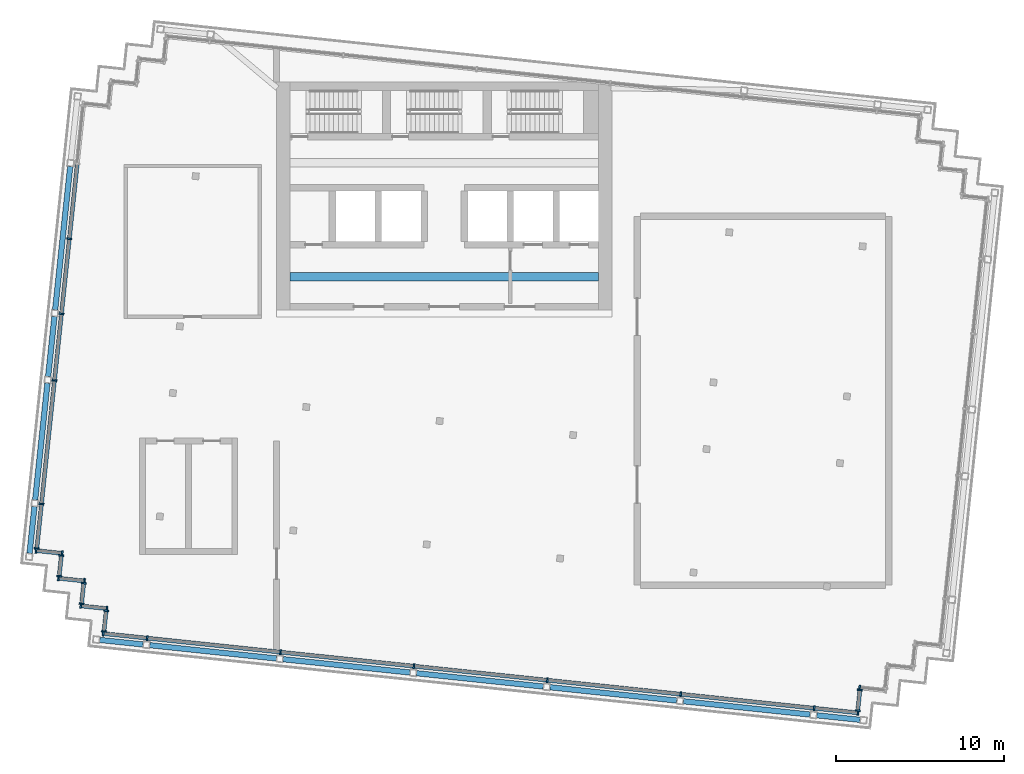
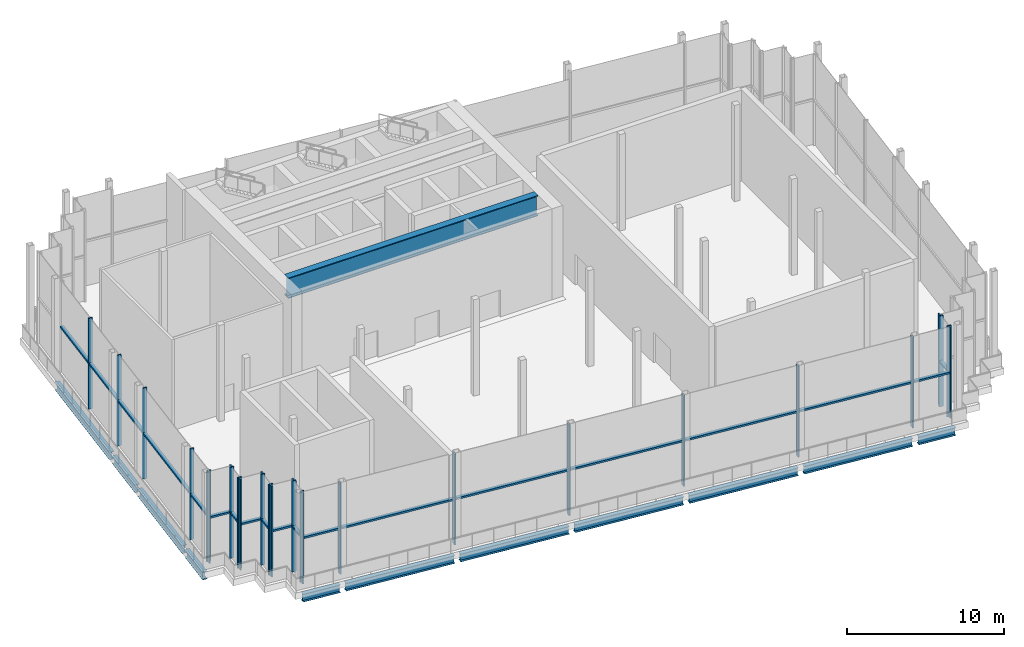
# One storey, part 3 of 14: 47 members, 12 beams, 10 elements without a shape of their own.
"""IFC4 building model written with IfcOpenShell, lengths in metres."""

from ifc_helpers import new_model, si_unit, direction, frame, origin, origin_2d, place, context, subcontext, project, spatial, rectangle, i_section, extrude, material, material_profile, profile_set, type_object, element, aggregate, save


model = new_model("IFC4")

# Units and contexts
model_context = context("Model", 3, precision=1e-05, world=origin(), true_north=direction((0.0, 1.0)))
body_context = subcontext(model_context, "Body", "Model", "MODEL_VIEW")
ifc_project = project(units=[si_unit("LENGTHUNIT", "METRE"), si_unit("AREAUNIT", "SQUARE_METRE"), si_unit("VOLUMEUNIT", "CUBIC_METRE"), si_unit("PLANEANGLEUNIT", "RADIAN"), si_unit("MASSUNIT", "GRAM", prefix="KILO")], contexts=[model_context])

# Site, building, storey
site_placement = place(None, origin())
site = spatial("IfcSite", under=ifc_project, at=site_placement, CompositionType="ELEMENT")
building_placement = place(site_placement, origin())
building = spatial("IfcBuilding", under=site, at=building_placement, Name="Vidyagriha Tower", CompositionType="ELEMENT")
storey_placement = place(building_placement, frame((0.0, 0.0, 301.699951171875)))
storey = spatial("IfcBuildingStorey", under=building, at=storey_placement, Name="L78", CompositionType="ELEMENT", Elevation=301.699951171875)

# Beams
ifc_material_1 = material(Name="Steel ASTM A992 Grade 50", Category="steel")
ifc_material_profile_1 = material_profile(ifc_material_1, i_section(OverallWidth=0.5, OverallDepth=1.60009765625, WebThickness=0.030029296875, FlangeThickness=0.06005859375, at=origin_2d()), Name="H1600x500x30x60")
ifc_profile_set_1 = profile_set([ifc_material_profile_1], Name="Steel ASTM A992 Grade 50")
beam_type_1 = type_object("IfcBeamType", Name="Damper support girder H1600x500x30x60", PredefinedType="BEAM", material=ifc_profile_set_1)
beam_1_placement = place(storey_placement, frame((-9.199951171875, 8.39990234375, 6.280029296875), z_axis=(1.0, 0.0, 0.0), x_axis=(0.0, 1.0, 0.0)))
element("IfcBeam", 1, at=beam_1_placement, inside=storey, type_object=beam_type_1, Name="st-beam-L78-DG1", PredefinedType="BEAM", context=body_context, shape_type="SweptSolid", body=[
    extrude(i_section(OverallWidth=0.5, OverallDepth=1.60009765625, WebThickness=0.030029296875, FlangeThickness=0.06005859375, at=origin_2d()), origin(), (0.0, 0.0, 1.0), 18.39990234375),
])
ifc_material_2 = material(Name="Steel ASTM A992 Grade 50", Category="steel")
ifc_material_profile_2 = material_profile(ifc_material_2, i_section(OverallWidth=0.32373046875, OverallDepth=0.612060546875, WebThickness=0.0126953125, FlangeThickness=0.01904296875, at=origin_2d()), Name="W24X104")
ifc_profile_set_2 = profile_set([ifc_material_profile_2], Name="Steel ASTM A992 Grade 50")
beam_type_2 = type_object("IfcBeamType", Name="Edge beam W24X104", PredefinedType="SPANDREL", material=ifc_profile_set_2)
beam_2_placement = place(storey_placement, frame((-20.552978515625, -13.263427734375, -0.805908203125), z_axis=(0.99451368233, -0.104606575594, 0.0), x_axis=(0.104606575594, 0.99451368233, 0.0)))
element("IfcBeam", 2, at=beam_2_placement, inside=storey, type_object=beam_type_2, Name="st-beam-L78-S01", PredefinedType="SPANDREL", context=body_context, shape_type="SweptSolid", body=[
    extrude(i_section(OverallWidth=0.32373046875, OverallDepth=0.612060546875, WebThickness=0.0126953125, FlangeThickness=0.01904296875, at=origin_2d()), origin(), (0.0, 0.0, 1.0), 2.599853515625),
])
for number, where, z_axis, x_axis, name in (
    (3, (-17.569580078125, -13.5771484375, -0.805908203125), (0.994521634953, -0.104530940926, 0.0), (0.104530940926, 0.994521634953, 0.0), "st-beam-L78-S02"),
    (4, (-9.61328125, -14.413330078125, -0.805908203125), (0.994521634953, -0.104530940926, 0.0), (0.104530940926, 0.994521634953, 0.0), "st-beam-L78-S03"),
    (5, (-1.6572265625, -15.24951171875, -0.805908203125), (0.994521634953, -0.104530940926, 0.0), (0.104530940926, 0.994521634953, 0.0), "st-beam-L78-S04"),
    (6, (6.299072265625, -16.085693359375, -0.805908203125), (0.994521634953, -0.104530940926, 0.0), (0.104530940926, 0.994521634953, 0.0), "st-beam-L78-S05"),
):
    element("IfcBeam", number, at=place(storey_placement, frame(where, z_axis=z_axis, x_axis=x_axis)), inside=storey, type_object=beam_type_2, Name=name, PredefinedType="SPANDREL", context=body_context, shape_type="SweptSolid", body=[
        extrude(i_section(OverallWidth=0.32373046875, OverallDepth=0.612060546875, WebThickness=0.0126953125, FlangeThickness=0.01904296875, at=origin_2d()), origin(), (0.0, 0.0, 1.0), 7.60009765625),
    ])
beam_3_placement = place(storey_placement, frame((14.255126953125, -16.922119140625, -0.805908203125), z_axis=(0.994524973995, -0.104499167945, 0.0), x_axis=(0.104499167945, 0.994524973995, 0.0)))
element("IfcBeam", 7, at=beam_3_placement, inside=storey, type_object=beam_type_2, Name="st-beam-L78-S06", PredefinedType="SPANDREL", context=body_context, shape_type="SweptSolid", body=[
    extrude(i_section(OverallWidth=0.32373046875, OverallDepth=0.612060546875, WebThickness=0.0126953125, FlangeThickness=0.01904296875, at=origin_2d()), origin(), (0.0, 0.0, 1.0), 7.599853515625),
])
beam_4_placement = place(storey_placement, frame((22.211181640625, -17.75830078125, -0.805908203125), z_axis=(0.994524472508, -0.104503940512, 0.0), x_axis=(0.104503940512, 0.994524472508, 0.0)))
element("IfcBeam", 8, at=beam_4_placement, inside=storey, type_object=beam_type_2, Name="st-beam-L78-S07", PredefinedType="SPANDREL", context=body_context, shape_type="SweptSolid", body=[
    extrude(i_section(OverallWidth=0.32373046875, OverallDepth=0.612060546875, WebThickness=0.0126953125, FlangeThickness=0.01904296875, at=origin_2d()), origin(), (0.0, 0.0, 1.0), 2.60009765625),
])
beam_5_placement = place(storey_placement, frame((-24.736083984375, -8.097900390625, -0.805908203125), z_axis=(0.104544080685, 0.994520253788, 0.0), x_axis=(-0.994520253788, 0.104544080685, 0.0)))
element("IfcBeam", 9, at=beam_5_placement, inside=storey, type_object=beam_type_2, Name="st-beam-L78-W08", PredefinedType="SPANDREL", context=body_context, shape_type="SweptSolid", body=[
    extrude(i_section(OverallWidth=0.32373046875, OverallDepth=0.612060546875, WebThickness=0.0126953125, FlangeThickness=0.01904296875, at=origin_2d()), origin(), (0.0, 0.0, 1.0), 2.800048828125),
])
beam_6_placement = place(storey_placement, frame((-24.401611328125, -4.91552734375, -0.805908203125), z_axis=(0.104526832686, 0.994522066748, 0.0), x_axis=(-0.994522066748, 0.104526832686, 0.0)))
element("IfcBeam", 10, at=beam_6_placement, inside=storey, type_object=beam_type_2, Name="st-beam-L78-W09", PredefinedType="SPANDREL", context=body_context, shape_type="SweptSolid", body=[
    extrude(i_section(OverallWidth=0.32373046875, OverallDepth=0.612060546875, WebThickness=0.0126953125, FlangeThickness=0.01904296875, at=origin_2d()), origin(), (0.0, 0.0, 1.0), 7.0),
])
beam_7_placement = place(storey_placement, frame((-23.628173828125, 2.444091796875, -0.805908203125), z_axis=(0.104578872801, 0.994516595821, 0.0), x_axis=(-0.994516595821, 0.104578872801, 0.0)))
element("IfcBeam", 11, at=beam_7_placement, inside=storey, type_object=beam_type_2, Name="st-beam-L78-W10", PredefinedType="SPANDREL", context=body_context, shape_type="SweptSolid", body=[
    extrude(i_section(OverallWidth=0.32373046875, OverallDepth=0.612060546875, WebThickness=0.0126953125, FlangeThickness=0.01904296875, at=origin_2d()), origin(), (0.0, 0.0, 1.0), 3.599853515625),
])
beam_8_placement = place(storey_placement, frame((-23.2099609375, 6.422119140625, -0.805908203125), z_axis=(0.104528138401, 0.994521929513, 0.0), x_axis=(-0.994521929513, 0.104528138401, 0.0)))
element("IfcBeam", 12, at=beam_8_placement, inside=storey, type_object=beam_type_2, Name="st-beam-L78-W11", PredefinedType="SPANDREL", context=body_context, shape_type="SweptSolid", body=[
    extrude(i_section(OverallWidth=0.32373046875, OverallDepth=0.612060546875, WebThickness=0.0126953125, FlangeThickness=0.01904296875, at=origin_2d()), origin(), (0.0, 0.0, 1.0), 8.599853515625),
])

# Curtain wall, members
ifc_material_3 = material(Name="Aluminium and glass curtain wall", Category="aluminium")
curtain_wall_type = type_object("IfcCurtainWallType", Name="Damper floor glazing wall", PredefinedType="USERDEFINED", material=ifc_material_3)
curtain_wall_1_placement = place(storey_placement, origin())
curtain_wall_1 = element("IfcCurtainWall", 13, at=curtain_wall_1_placement, inside=storey, type_object=curtain_wall_type, Name="CW5 damper floor glazing", ObjectType="STICK GLAZING", PredefinedType="USERDEFINED")
ifc_material_4 = material(Name="Aluminium black anodised", Category="aluminium")
ifc_material_profile_3 = material_profile(ifc_material_4, rectangle(XDim=0.300048828125, YDim=0.10009765625, at=origin_2d()), Name="Mullion 100x300 black aluminium")
ifc_profile_set_3 = profile_set([ifc_material_profile_3], Name="Aluminium black anodised")
member_type_1 = type_object("IfcMemberType", Name="Mullion 100x300 black aluminium", PredefinedType="MULLION", material=ifc_profile_set_3)
member_1_placement = place(storey_placement, frame((-22.36279296875, 10.656494140625, 0.0), z_axis=(0.0, 0.0, 1.0), x_axis=(0.994522018715, -0.104527289697, 0.0)))
member_1 = element("IfcMember", 14, at=member_1_placement, type_object=member_type_1, Name="CW5 mullion 3", PredefinedType="MULLION", context=body_context, shape_type="SweptSolid", body=[
    extrude(rectangle(XDim=0.300048828125, YDim=0.10009765625, at=origin_2d()), origin(), (0.0, 0.0, 1.0), 7.080078125),
])
member_2_placement = place(storey_placement, frame((-22.8330078125, 6.181396484375, 0.0), z_axis=(0.0, 0.0, 1.0), x_axis=(0.994522018715, -0.104527289697, 0.0)))
member_2 = element("IfcMember", 15, at=member_2_placement, type_object=member_type_1, Name="CW5 mullion 4", PredefinedType="MULLION", context=body_context, shape_type="SweptSolid", body=[
    extrude(rectangle(XDim=0.300048828125, YDim=0.10009765625, at=origin_2d()), origin(), (0.0, 0.0, 1.0), 7.080078125),
])
member_3_placement = place(storey_placement, frame((-23.251220703125, 2.203125, 0.0), z_axis=(0.0, 0.0, 1.0), x_axis=(0.994522018715, -0.104527289697, 0.0)))
member_3 = element("IfcMember", 16, at=member_3_placement, type_object=member_type_1, Name="CW5 mullion 5", PredefinedType="MULLION", context=body_context, shape_type="SweptSolid", body=[
    extrude(rectangle(XDim=0.300048828125, YDim=0.10009765625, at=origin_2d()), origin(), (0.0, 0.0, 1.0), 7.080078125),
])
member_4_placement = place(storey_placement, frame((-24.024658203125, -5.15625, 0.0), z_axis=(0.0, 0.0, 1.0), x_axis=(0.994522018715, -0.104527289697, 0.0)))
member_4 = element("IfcMember", 17, at=member_4_placement, type_object=member_type_1, Name="CW5 mullion 6", PredefinedType="MULLION", context=body_context, shape_type="SweptSolid", body=[
    extrude(rectangle(XDim=0.300048828125, YDim=0.10009765625, at=origin_2d()), origin(), (0.0, 0.0, 1.0), 7.080078125),
])
member_5_placement = place(storey_placement, frame((-24.3037109375, -7.8115234375, 0.0), z_axis=(0.0, 0.0, 1.0), x_axis=(0.994522018715, -0.104527289697, 0.0)))
member_5 = element("IfcMember", 18, at=member_5_placement, type_object=member_type_1, Name="CW5 mullion 7", PredefinedType="MULLION", context=body_context, shape_type="SweptSolid", body=[
    extrude(rectangle(XDim=0.300048828125, YDim=0.10009765625, at=origin_2d()), origin(), (0.0, 0.0, 1.0), 7.080078125),
])

curtain_wall_2_placement = place(storey_placement, origin())
curtain_wall_2 = element("IfcCurtainWall", 19, at=curtain_wall_2_placement, inside=storey, type_object=curtain_wall_type, Name="CW5 damper floor glazing", ObjectType="STICK GLAZING", PredefinedType="USERDEFINED")
member_6_placement = place(storey_placement, frame((-24.34716796875, -7.937744140625, 0.0), z_axis=(0.0, 0.0, 1.0), x_axis=(0.104518583201, 0.994522933756, 0.0)))
member_6 = element("IfcMember", 20, at=member_6_placement, type_object=member_type_1, Name="CW5 mullion 1", PredefinedType="MULLION", context=body_context, shape_type="SweptSolid", body=[
    extrude(rectangle(XDim=0.300048828125, YDim=0.10009765625, at=origin_2d()), origin(), (0.0, 0.0, 1.0), 7.080078125),
])
member_7_placement = place(storey_placement, frame((-22.795654296875, -8.100830078125, 0.0), z_axis=(0.0, 0.0, 1.0), x_axis=(0.104518583201, 0.994522933756, 0.0)))
member_7 = element("IfcMember", 21, at=member_7_placement, type_object=member_type_1, Name="CW5 mullion 2", PredefinedType="MULLION", context=body_context, shape_type="SweptSolid", body=[
    extrude(rectangle(XDim=0.300048828125, YDim=0.10009765625, at=origin_2d()), origin(), (0.0, 0.0, 1.0), 7.080078125),
])

curtain_wall_3_placement = place(storey_placement, origin())
curtain_wall_3 = element("IfcCurtainWall", 22, at=curtain_wall_3_placement, inside=storey, type_object=curtain_wall_type, Name="CW5 damper floor glazing", ObjectType="STICK GLAZING", PredefinedType="USERDEFINED")
member_8_placement = place(storey_placement, frame((-22.839111328125, -8.22705078125, 0.0), z_axis=(0.0, 0.0, 1.0), x_axis=(0.994518939392, -0.104556583677, 0.0)))
member_8 = element("IfcMember", 23, at=member_8_placement, type_object=member_type_1, Name="CW5 mullion 1", PredefinedType="MULLION", context=body_context, shape_type="SweptSolid", body=[
    extrude(rectangle(XDim=0.300048828125, YDim=0.10009765625, at=origin_2d()), origin(), (0.0, 0.0, 1.0), 7.080078125),
])
member_9_placement = place(storey_placement, frame((-22.96875, -9.460205078125, 0.0), z_axis=(0.0, 0.0, 1.0), x_axis=(0.994518939392, -0.104556583677, 0.0)))
member_9 = element("IfcMember", 24, at=member_9_placement, type_object=member_type_1, Name="CW5 mullion 2", PredefinedType="MULLION", context=body_context, shape_type="SweptSolid", body=[
    extrude(rectangle(XDim=0.300048828125, YDim=0.10009765625, at=origin_2d()), origin(), (0.0, 0.0, 1.0), 7.080078125),
])

curtain_wall_4_placement = place(storey_placement, origin())
curtain_wall_4 = element("IfcCurtainWall", 25, at=curtain_wall_4_placement, inside=storey, type_object=curtain_wall_type, Name="CW5 damper floor glazing", ObjectType="STICK GLAZING", PredefinedType="USERDEFINED")
member_10_placement = place(storey_placement, frame((-23.01220703125, -9.58642578125, 0.0), z_axis=(0.0, 0.0, 1.0), x_axis=(0.104458999463, 0.994529193856, 0.0)))
member_10 = element("IfcMember", 26, at=member_10_placement, type_object=member_type_1, Name="CW5 mullion 1", PredefinedType="MULLION", context=body_context, shape_type="SweptSolid", body=[
    extrude(rectangle(XDim=0.300048828125, YDim=0.10009765625, at=origin_2d()), origin(), (0.0, 0.0, 1.0), 7.080078125),
])
member_11_placement = place(storey_placement, frame((-21.460693359375, -9.749267578125, 0.0), z_axis=(0.0, 0.0, 1.0), x_axis=(0.104458999463, 0.994529193856, 0.0)))
member_11 = element("IfcMember", 27, at=member_11_placement, type_object=member_type_1, Name="CW5 mullion 2", PredefinedType="MULLION", context=body_context, shape_type="SweptSolid", body=[
    extrude(rectangle(XDim=0.300048828125, YDim=0.10009765625, at=origin_2d()), origin(), (0.0, 0.0, 1.0), 7.080078125),
])

curtain_wall_5_placement = place(storey_placement, origin())
curtain_wall_5 = element("IfcCurtainWall", 28, at=curtain_wall_5_placement, inside=storey, type_object=curtain_wall_type, Name="CW5 damper floor glazing", ObjectType="STICK GLAZING", PredefinedType="USERDEFINED")
member_12_placement = place(storey_placement, frame((-21.504150390625, -9.87548828125, 0.0), z_axis=(0.0, 0.0, 1.0), x_axis=(0.994519755162, -0.104548823962, 0.0)))
member_12 = element("IfcMember", 29, at=member_12_placement, type_object=member_type_1, Name="CW5 mullion 1", PredefinedType="MULLION", context=body_context, shape_type="SweptSolid", body=[
    extrude(rectangle(XDim=0.300048828125, YDim=0.10009765625, at=origin_2d()), origin(), (0.0, 0.0, 1.0), 7.080078125),
])
member_13_placement = place(storey_placement, frame((-21.6337890625, -11.108642578125, 0.0), z_axis=(0.0, 0.0, 1.0), x_axis=(0.994519755162, -0.104548823962, 0.0)))
member_13 = element("IfcMember", 30, at=member_13_placement, type_object=member_type_1, Name="CW5 mullion 2", PredefinedType="MULLION", context=body_context, shape_type="SweptSolid", body=[
    extrude(rectangle(XDim=0.300048828125, YDim=0.10009765625, at=origin_2d()), origin(), (0.0, 0.0, 1.0), 7.080078125),
])

curtain_wall_6_placement = place(storey_placement, origin())
curtain_wall_6 = element("IfcCurtainWall", 31, at=curtain_wall_6_placement, inside=storey, type_object=curtain_wall_type, Name="CW5 damper floor glazing", ObjectType="STICK GLAZING", PredefinedType="USERDEFINED")
member_14_placement = place(storey_placement, frame((-21.67724609375, -11.23486328125, 0.0), z_axis=(0.0, 0.0, 1.0), x_axis=(0.104518583201, 0.994522933756, 0.0)))
member_14 = element("IfcMember", 32, at=member_14_placement, type_object=member_type_1, Name="CW5 mullion 1", PredefinedType="MULLION", context=body_context, shape_type="SweptSolid", body=[
    extrude(rectangle(XDim=0.300048828125, YDim=0.10009765625, at=origin_2d()), origin(), (0.0, 0.0, 1.0), 7.080078125),
])
member_15_placement = place(storey_placement, frame((-20.125732421875, -11.39794921875, 0.0), z_axis=(0.0, 0.0, 1.0), x_axis=(0.104518583201, 0.994522933756, 0.0)))
member_15 = element("IfcMember", 33, at=member_15_placement, type_object=member_type_1, Name="CW5 mullion 2", PredefinedType="MULLION", context=body_context, shape_type="SweptSolid", body=[
    extrude(rectangle(XDim=0.300048828125, YDim=0.10009765625, at=origin_2d()), origin(), (0.0, 0.0, 1.0), 7.080078125),
])

curtain_wall_7_placement = place(storey_placement, origin())
curtain_wall_7 = element("IfcCurtainWall", 34, at=curtain_wall_7_placement, inside=storey, type_object=curtain_wall_type, Name="CW5 damper floor glazing", ObjectType="STICK GLAZING", PredefinedType="USERDEFINED")
member_16_placement = place(storey_placement, frame((-20.169189453125, -11.524169921875, 0.0), z_axis=(0.0, 0.0, 1.0), x_axis=(0.994518939392, -0.104556583677, 0.0)))
member_16 = element("IfcMember", 35, at=member_16_placement, type_object=member_type_1, Name="CW5 mullion 1", PredefinedType="MULLION", context=body_context, shape_type="SweptSolid", body=[
    extrude(rectangle(XDim=0.300048828125, YDim=0.10009765625, at=origin_2d()), origin(), (0.0, 0.0, 1.0), 7.080078125),
])
member_17_placement = place(storey_placement, frame((-20.298828125, -12.75732421875, 0.0), z_axis=(0.0, 0.0, 1.0), x_axis=(0.994518939392, -0.104556583677, 0.0)))
member_17 = element("IfcMember", 36, at=member_17_placement, type_object=member_type_1, Name="CW5 mullion 2", PredefinedType="MULLION", context=body_context, shape_type="SweptSolid", body=[
    extrude(rectangle(XDim=0.300048828125, YDim=0.10009765625, at=origin_2d()), origin(), (0.0, 0.0, 1.0), 7.080078125),
])

curtain_wall_8_placement = place(storey_placement, origin())
curtain_wall_8 = element("IfcCurtainWall", 37, at=curtain_wall_8_placement, inside=storey, type_object=curtain_wall_type, Name="CW5 damper floor glazing", ObjectType="STICK GLAZING", PredefinedType="USERDEFINED")
member_18_placement = place(storey_placement, frame((-20.34228515625, -12.883544921875, 0.0), z_axis=(0.0, 0.0, 1.0), x_axis=(0.104528251556, 0.99452191762, 0.0)))
member_18 = element("IfcMember", 38, at=member_18_placement, type_object=member_type_1, Name="CW5 mullion 1", PredefinedType="MULLION", context=body_context, shape_type="SweptSolid", body=[
    extrude(rectangle(XDim=0.300048828125, YDim=0.10009765625, at=origin_2d()), origin(), (0.0, 0.0, 1.0), 7.080078125),
])
member_19_placement = place(storey_placement, frame((-17.7265625, -13.158447265625, 0.0), z_axis=(0.0, 0.0, 1.0), x_axis=(0.104528251556, 0.99452191762, 0.0)))
member_19 = element("IfcMember", 39, at=member_19_placement, type_object=member_type_1, Name="CW5 mullion 2", PredefinedType="MULLION", context=body_context, shape_type="SweptSolid", body=[
    extrude(rectangle(XDim=0.300048828125, YDim=0.10009765625, at=origin_2d()), origin(), (0.0, 0.0, 1.0), 7.080078125),
])
member_20_placement = place(storey_placement, frame((-9.7705078125, -13.99462890625, 0.0), z_axis=(0.0, 0.0, 1.0), x_axis=(0.104528251556, 0.99452191762, 0.0)))
member_20 = element("IfcMember", 40, at=member_20_placement, type_object=member_type_1, Name="CW5 mullion 3", PredefinedType="MULLION", context=body_context, shape_type="SweptSolid", body=[
    extrude(rectangle(XDim=0.300048828125, YDim=0.10009765625, at=origin_2d()), origin(), (0.0, 0.0, 1.0), 7.080078125),
])
member_21_placement = place(storey_placement, frame((-1.814208984375, -14.830810546875, 0.0), z_axis=(0.0, 0.0, 1.0), x_axis=(0.104528251556, 0.99452191762, 0.0)))
member_21 = element("IfcMember", 41, at=member_21_placement, type_object=member_type_1, Name="CW5 mullion 4", PredefinedType="MULLION", context=body_context, shape_type="SweptSolid", body=[
    extrude(rectangle(XDim=0.300048828125, YDim=0.10009765625, at=origin_2d()), origin(), (0.0, 0.0, 1.0), 7.080078125),
])
member_22_placement = place(storey_placement, frame((6.141845703125, -15.6669921875, 0.0), z_axis=(0.0, 0.0, 1.0), x_axis=(0.104528251556, 0.99452191762, 0.0)))
member_22 = element("IfcMember", 42, at=member_22_placement, type_object=member_type_1, Name="CW5 mullion 5", PredefinedType="MULLION", context=body_context, shape_type="SweptSolid", body=[
    extrude(rectangle(XDim=0.300048828125, YDim=0.10009765625, at=origin_2d()), origin(), (0.0, 0.0, 1.0), 7.080078125),
])
member_23_placement = place(storey_placement, frame((14.09814453125, -16.503173828125, 0.0), z_axis=(0.0, 0.0, 1.0), x_axis=(0.104528251556, 0.99452191762, 0.0)))
member_23 = element("IfcMember", 43, at=member_23_placement, type_object=member_type_1, Name="CW5 mullion 6", PredefinedType="MULLION", context=body_context, shape_type="SweptSolid", body=[
    extrude(rectangle(XDim=0.300048828125, YDim=0.10009765625, at=origin_2d()), origin(), (0.0, 0.0, 1.0), 7.080078125),
])
member_24_placement = place(storey_placement, frame((22.05419921875, -17.33935546875, 0.0), z_axis=(0.0, 0.0, 1.0), x_axis=(0.104528251556, 0.99452191762, 0.0)))
member_24 = element("IfcMember", 44, at=member_24_placement, type_object=member_type_1, Name="CW5 mullion 7", PredefinedType="MULLION", context=body_context, shape_type="SweptSolid", body=[
    extrude(rectangle(XDim=0.300048828125, YDim=0.10009765625, at=origin_2d()), origin(), (0.0, 0.0, 1.0), 7.080078125),
])
member_25_placement = place(storey_placement, frame((24.669921875, -17.6142578125, 0.0), z_axis=(0.0, 0.0, 1.0), x_axis=(0.104528251556, 0.99452191762, 0.0)))
member_25 = element("IfcMember", 45, at=member_25_placement, type_object=member_type_1, Name="CW5 mullion 8", PredefinedType="MULLION", context=body_context, shape_type="SweptSolid", body=[
    extrude(rectangle(XDim=0.300048828125, YDim=0.10009765625, at=origin_2d()), origin(), (0.0, 0.0, 1.0), 7.080078125),
])

curtain_wall_9_placement = place(storey_placement, origin())
curtain_wall_9 = element("IfcCurtainWall", 46, at=curtain_wall_9_placement, inside=storey, type_object=curtain_wall_type, Name="CW5 damper floor glazing", ObjectType="STICK GLAZING", PredefinedType="USERDEFINED")
member_26_placement = place(storey_placement, frame((24.653564453125, -17.48193359375, 0.0), z_axis=(0.0, 0.0, 1.0), x_axis=(-0.994518939392, 0.104556583677, 0.0)))
member_26 = element("IfcMember", 47, at=member_26_placement, type_object=member_type_1, Name="CW5 mullion 1", PredefinedType="MULLION", context=body_context, shape_type="SweptSolid", body=[
    extrude(rectangle(XDim=0.300048828125, YDim=0.10009765625, at=origin_2d()), origin(), (0.0, 0.0, 1.0), 7.080078125),
])
member_27_placement = place(storey_placement, frame((24.783203125, -16.248779296875, 0.0), z_axis=(0.0, 0.0, 1.0), x_axis=(-0.994518939392, 0.104556583677, 0.0)))
member_27 = element("IfcMember", 48, at=member_27_placement, type_object=member_type_1, Name="CW5 mullion 2", PredefinedType="MULLION", context=body_context, shape_type="SweptSolid", body=[
    extrude(rectangle(XDim=0.300048828125, YDim=0.10009765625, at=origin_2d()), origin(), (0.0, 0.0, 1.0), 7.080078125),
])

# Curtain wall, member
curtain_wall_10_placement = place(storey_placement, origin())
curtain_wall_10 = element("IfcCurtainWall", 49, at=curtain_wall_10_placement, inside=storey, type_object=curtain_wall_type, Name="CW5 damper floor glazing", ObjectType="STICK GLAZING", PredefinedType="USERDEFINED")
member_28_placement = place(storey_placement, frame((24.76708984375, -16.116455078125, 0.0), z_axis=(0.0, 0.0, 1.0), x_axis=(0.104518583201, 0.994522933756, 0.0)))
member_28 = element("IfcMember", 50, at=member_28_placement, type_object=member_type_1, Name="CW5 mullion 1", PredefinedType="MULLION", context=body_context, shape_type="SweptSolid", body=[
    extrude(rectangle(XDim=0.300048828125, YDim=0.10009765625, at=origin_2d()), origin(), (0.0, 0.0, 1.0), 7.080078125),
])
aggregate(curtain_wall_10, [member_28])

# Member
ifc_material_5 = material(Name="Aluminium black anodised", Category="aluminium")
ifc_material_profile_4 = material_profile(ifc_material_5, rectangle(XDim=0.239990234375, YDim=0.139892578125, at=origin_2d()), Name="Transom 140x240 black aluminium")
ifc_profile_set_4 = profile_set([ifc_material_profile_4], Name="Aluminium black anodised")
member_type_2 = type_object("IfcMemberType", Name="Transom 140x240 black aluminium", PredefinedType="USERDEFINED", material=ifc_profile_set_4)
member_29_placement = place(storey_placement, frame((-21.8974609375, 15.082275390625, 3.5400390625), z_axis=(-0.104534592565, -0.994521251134, 0.0), x_axis=(0.994521251134, -0.104534592565, 0.0)))
member_29 = element("IfcMember", 51, at=member_29_placement, type_object=member_type_2, Name="CW5 transom 2.1", ObjectType="TRANSOM", PredefinedType="USERDEFINED", context=body_context, shape_type="SweptSolid", body=[
    extrude(rectangle(XDim=0.239990234375, YDim=0.139892578125, at=origin_2d()), origin(), (0.0, 0.0, 1.0), 4.400146484375),
])

member_30_placement = place(storey_placement, frame((-22.367919921875, 10.60693359375, 3.5400390625), z_axis=(-0.104534592565, -0.994521251134, 0.0), x_axis=(0.994521251134, -0.104534592565, 0.0)))
member_30 = element("IfcMember", 52, at=member_30_placement, type_object=member_type_2, Name="CW5 transom 3.1", ObjectType="TRANSOM", PredefinedType="USERDEFINED", context=body_context, shape_type="SweptSolid", body=[
    extrude(rectangle(XDim=0.239990234375, YDim=0.139892578125, at=origin_2d()), origin(), (0.0, 0.0, 1.0), 4.400146484375),
])

member_31_placement = place(storey_placement, frame((-22.83837890625, 6.131591796875, 3.5400390625), z_axis=(-0.104479488415, -0.994527041613, 0.0), x_axis=(0.994527041613, -0.104479488415, 0.0)))
member_31 = element("IfcMember", 53, at=member_31_placement, type_object=member_type_2, Name="CW5 transom 4.1", ObjectType="TRANSOM", PredefinedType="USERDEFINED", context=body_context, shape_type="SweptSolid", body=[
    extrude(rectangle(XDim=0.239990234375, YDim=0.139892578125, at=origin_2d()), origin(), (0.0, 0.0, 1.0), 3.89990234375),
])

member_32_placement = place(storey_placement, frame((-23.25634765625, 2.153564453125, 3.5400390625), z_axis=(-0.104542033295, -0.994520469007, 0.0), x_axis=(0.994520469007, -0.104542033295, 0.0)))
member_32 = element("IfcMember", 54, at=member_32_placement, type_object=member_type_2, Name="CW5 transom 5.1", ObjectType="TRANSOM", PredefinedType="USERDEFINED", context=body_context, shape_type="SweptSolid", body=[
    extrude(rectangle(XDim=0.239990234375, YDim=0.139892578125, at=origin_2d()), origin(), (0.0, 0.0, 1.0), 7.30029296875),
])

member_33_placement = place(storey_placement, frame((-24.030029296875, -5.2060546875, 3.5400390625), z_axis=(-0.104496870469, -0.994525215398, 0.0), x_axis=(0.994525215398, -0.104496870469, 0.0)))
member_33 = element("IfcMember", 55, at=member_33_placement, type_object=member_type_2, Name="CW5 transom 6.1", ObjectType="TRANSOM", PredefinedType="USERDEFINED", context=body_context, shape_type="SweptSolid", body=[
    extrude(rectangle(XDim=0.239990234375, YDim=0.139892578125, at=origin_2d()), origin(), (0.0, 0.0, 1.0), 2.570068359375),
])

aggregate(curtain_wall_1, [member_1, member_2, member_3, member_4, member_5, member_29, member_30, member_31, member_32, member_33])

member_34_placement = place(storey_placement, frame((-24.29736328125, -7.94287109375, 3.5400390625), z_axis=(0.99452284952, -0.104519384723, 0.0), x_axis=(0.104519384723, 0.99452284952, 0.0)))
member_34 = element("IfcMember", 56, at=member_34_placement, type_object=member_type_2, Name="CW5 transom 1.1", ObjectType="TRANSOM", PredefinedType="USERDEFINED", context=body_context, shape_type="SweptSolid", body=[
    extrude(rectangle(XDim=0.239990234375, YDim=0.139892578125, at=origin_2d()), origin(), (0.0, 0.0, 1.0), 1.4599609375),
])

aggregate(curtain_wall_2, [member_6, member_7, member_34])

member_35_placement = place(storey_placement, frame((-22.84423828125, -8.27685546875, 3.5400390625), z_axis=(-0.1047405333, -0.994499583049, 0.0), x_axis=(0.994499583049, -0.1047405333, 0.0)))
member_35 = element("IfcMember", 57, at=member_35_placement, type_object=member_type_2, Name="CW5 transom 1.1", ObjectType="TRANSOM", PredefinedType="USERDEFINED", context=body_context, shape_type="SweptSolid", body=[
    extrude(rectangle(XDim=0.239990234375, YDim=0.139892578125, at=origin_2d()), origin(), (0.0, 0.0, 1.0), 1.139892578125),
])

aggregate(curtain_wall_3, [member_8, member_9, member_35])

member_36_placement = place(storey_placement, frame((-22.96240234375, -9.591552734375, 3.5400390625), z_axis=(0.99452284952, -0.104519384723, 0.0), x_axis=(0.104519384723, 0.99452284952, 0.0)))
member_36 = element("IfcMember", 58, at=member_36_placement, type_object=member_type_2, Name="CW5 transom 1.1", ObjectType="TRANSOM", PredefinedType="USERDEFINED", context=body_context, shape_type="SweptSolid", body=[
    extrude(rectangle(XDim=0.239990234375, YDim=0.139892578125, at=origin_2d()), origin(), (0.0, 0.0, 1.0), 1.4599609375),
])

aggregate(curtain_wall_4, [member_10, member_11, member_36])

member_37_placement = place(storey_placement, frame((-21.50927734375, -9.925048828125, 3.5400390625), z_axis=(-0.104718226703, -0.994501932123, 0.0), x_axis=(0.994501932123, -0.104718226703, 0.0)))
member_37 = element("IfcMember", 59, at=member_37_placement, type_object=member_type_2, Name="CW5 transom 1.1", ObjectType="TRANSOM", PredefinedType="USERDEFINED", context=body_context, shape_type="SweptSolid", body=[
    extrude(rectangle(XDim=0.239990234375, YDim=0.139892578125, at=origin_2d()), origin(), (0.0, 0.0, 1.0), 1.14013671875),
])

aggregate(curtain_wall_5, [member_12, member_13, member_37])

member_38_placement = place(storey_placement, frame((-21.62744140625, -11.239990234375, 3.5400390625), z_axis=(0.99452284952, -0.104519384723, 0.0), x_axis=(0.104519384723, 0.99452284952, 0.0)))
member_38 = element("IfcMember", 60, at=member_38_placement, type_object=member_type_2, Name="CW5 transom 1.1", ObjectType="TRANSOM", PredefinedType="USERDEFINED", context=body_context, shape_type="SweptSolid", body=[
    extrude(rectangle(XDim=0.239990234375, YDim=0.139892578125, at=origin_2d()), origin(), (0.0, 0.0, 1.0), 1.4599609375),
])

aggregate(curtain_wall_6, [member_14, member_15, member_38])

member_39_placement = place(storey_placement, frame((-20.17431640625, -11.57373046875, 3.5400390625), z_axis=(-0.104506420204, -0.994524211941, 0.0), x_axis=(0.994524211941, -0.104506420204, 0.0)))
member_39 = element("IfcMember", 61, at=member_39_placement, type_object=member_type_2, Name="CW5 transom 1.1", ObjectType="TRANSOM", PredefinedType="USERDEFINED", context=body_context, shape_type="SweptSolid", body=[
    extrude(rectangle(XDim=0.239990234375, YDim=0.139892578125, at=origin_2d()), origin(), (0.0, 0.0, 1.0), 1.14013671875),
])

aggregate(curtain_wall_7, [member_16, member_17, member_39])

member_40_placement = place(storey_placement, frame((-20.29248046875, -12.888671875, 3.5400390625), z_axis=(0.994523944136, -0.104508968707, 0.0), x_axis=(0.104508968707, 0.994523944136, 0.0)))
member_40 = element("IfcMember", 62, at=member_40_placement, type_object=member_type_2, Name="CW5 transom 1.1", ObjectType="TRANSOM", PredefinedType="USERDEFINED", context=body_context, shape_type="SweptSolid", body=[
    extrude(rectangle(XDim=0.239990234375, YDim=0.139892578125, at=origin_2d()), origin(), (0.0, 0.0, 1.0), 2.530029296875),
])

member_41_placement = place(storey_placement, frame((-17.6767578125, -13.16357421875, 3.5400390625), z_axis=(0.99452304992, -0.104517477854, 0.0), x_axis=(0.104517477854, 0.99452304992, 0.0)))
member_41 = element("IfcMember", 63, at=member_41_placement, type_object=member_type_2, Name="CW5 transom 2.1", ObjectType="TRANSOM", PredefinedType="USERDEFINED", context=body_context, shape_type="SweptSolid", body=[
    extrude(rectangle(XDim=0.239990234375, YDim=0.139892578125, at=origin_2d()), origin(), (0.0, 0.0, 1.0), 7.89990234375),
])

member_42_placement = place(storey_placement, frame((-9.720703125, -13.999755859375, 3.5400390625), z_axis=(0.994519837139, -0.104548044158, 0.0), x_axis=(0.104548044158, 0.994519837139, 0.0)))
member_42 = element("IfcMember", 64, at=member_42_placement, type_object=member_type_2, Name="CW5 transom 3.1", ObjectType="TRANSOM", PredefinedType="USERDEFINED", context=body_context, shape_type="SweptSolid", body=[
    extrude(rectangle(XDim=0.239990234375, YDim=0.139892578125, at=origin_2d()), origin(), (0.0, 0.0, 1.0), 7.89990234375),
])

member_43_placement = place(storey_placement, frame((-1.764404296875, -14.8359375, 3.5400390625), z_axis=(0.994519837139, -0.104548044158, 0.0), x_axis=(0.104548044158, 0.994519837139, 0.0)))
member_43 = element("IfcMember", 65, at=member_43_placement, type_object=member_type_2, Name="CW5 transom 4.1", ObjectType="TRANSOM", PredefinedType="USERDEFINED", context=body_context, shape_type="SweptSolid", body=[
    extrude(rectangle(XDim=0.239990234375, YDim=0.139892578125, at=origin_2d()), origin(), (0.0, 0.0, 1.0), 7.89990234375),
])

member_44_placement = place(storey_placement, frame((6.191650390625, -15.672119140625, 3.5400390625), z_axis=(0.994519837139, -0.104548044158, 0.0), x_axis=(0.104548044158, 0.994519837139, 0.0)))
member_44 = element("IfcMember", 66, at=member_44_placement, type_object=member_type_2, Name="CW5 transom 5.1", ObjectType="TRANSOM", PredefinedType="USERDEFINED", context=body_context, shape_type="SweptSolid", body=[
    extrude(rectangle(XDim=0.239990234375, YDim=0.139892578125, at=origin_2d()), origin(), (0.0, 0.0, 1.0), 7.89990234375),
])

member_45_placement = place(storey_placement, frame((14.147705078125, -16.508544921875, 3.5400390625), z_axis=(0.994523387498, -0.10451426563, 0.0), x_axis=(0.10451426563, 0.994523387498, 0.0)))
member_45 = element("IfcMember", 67, at=member_45_placement, type_object=member_type_2, Name="CW5 transom 6.1", ObjectType="TRANSOM", PredefinedType="USERDEFINED", context=body_context, shape_type="SweptSolid", body=[
    extrude(rectangle(XDim=0.239990234375, YDim=0.139892578125, at=origin_2d()), origin(), (0.0, 0.0, 1.0), 7.900146484375),
])

member_46_placement = place(storey_placement, frame((22.10400390625, -17.3447265625, 3.5400390625), z_axis=(0.994523944136, -0.104508968707, 0.0), x_axis=(0.104508968707, 0.994523944136, 0.0)))
member_46 = element("IfcMember", 68, at=member_46_placement, type_object=member_type_2, Name="CW5 transom 7.1", ObjectType="TRANSOM", PredefinedType="USERDEFINED", context=body_context, shape_type="SweptSolid", body=[
    extrude(rectangle(XDim=0.239990234375, YDim=0.139892578125, at=origin_2d()), origin(), (0.0, 0.0, 1.0), 2.530029296875),
])

aggregate(curtain_wall_8, [member_18, member_19, member_20, member_21, member_22, member_23, member_24, member_25, member_40, member_41, member_42, member_43, member_44, member_45, member_46])

member_47_placement = place(storey_placement, frame((24.658935546875, -17.43212890625, 3.5400390625), z_axis=(0.104528682681, 0.994521872307, 0.0), x_axis=(-0.994521872307, 0.104528682681, 0.0)))
member_47 = element("IfcMember", 69, at=member_47_placement, type_object=member_type_2, Name="CW5 transom 1.1", ObjectType="TRANSOM", PredefinedType="USERDEFINED", context=body_context, shape_type="SweptSolid", body=[
    extrude(rectangle(XDim=0.239990234375, YDim=0.139892578125, at=origin_2d()), origin(), (0.0, 0.0, 1.0), 1.139892578125),
])

aggregate(curtain_wall_9, [member_26, member_27, member_47])

save(model, "model.ifc")
